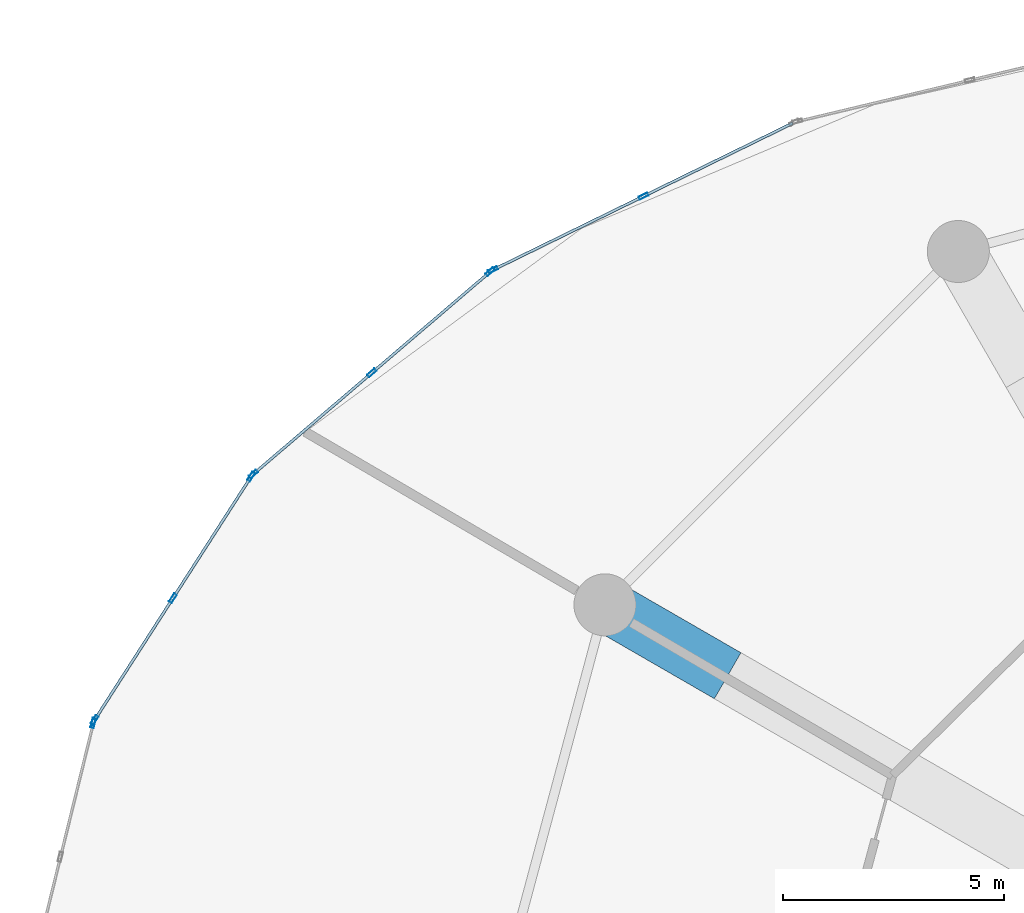
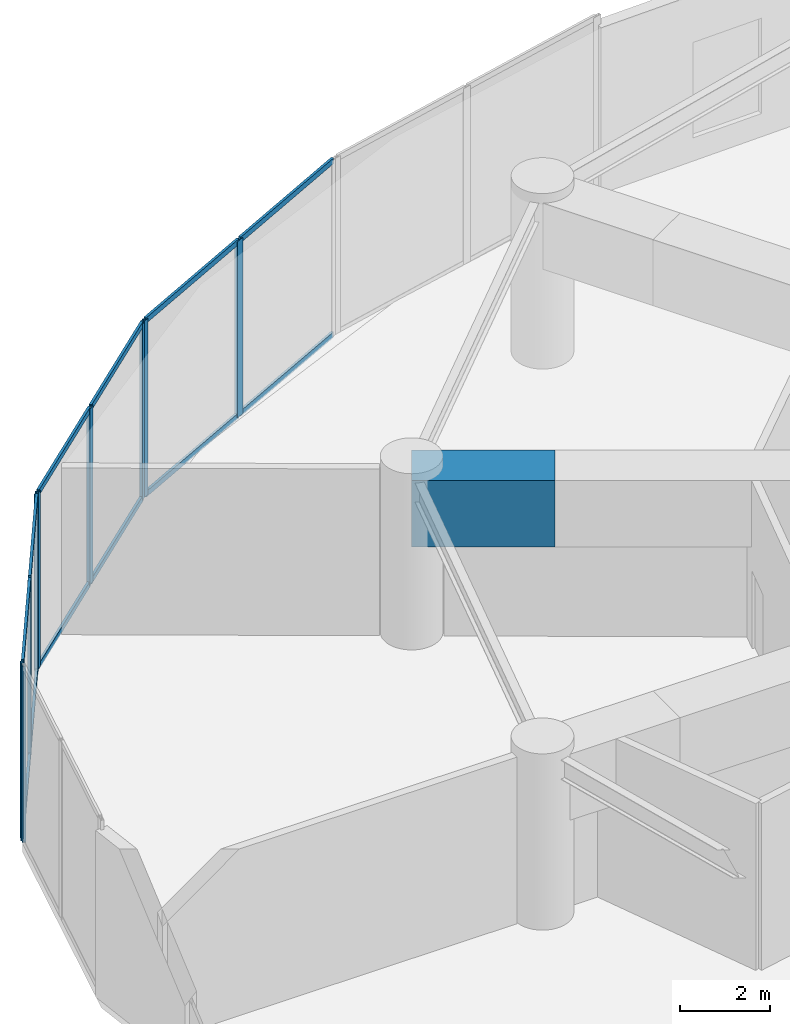
# One storey, part 14 of 27: 21 members, 1 beam, 4 elements without a shape of their own.
"""IFC4 building model written with IfcOpenShell, lengths in metres."""

from ifc_helpers import new_model, si_unit, direction, frame, origin, origin_2d, place, context, subcontext, project, spatial, rectangle, hollow_rectangle, extrude, source, transform, mapped, material, layer, layer_set, material_profile, profile_set, type_object, element, aggregate, save


model = new_model("IFC4")

# Units and contexts
model_context = context("Model", 3, precision=1e-05, world=origin(), true_north=direction((0.0, 1.0)))
body_context = subcontext(model_context, "Body", "Model", "MODEL_VIEW")
ifc_project = project(units=[si_unit("LENGTHUNIT", "METRE"), si_unit("AREAUNIT", "SQUARE_METRE"), si_unit("VOLUMEUNIT", "CUBIC_METRE"), si_unit("PLANEANGLEUNIT", "RADIAN"), si_unit("MASSUNIT", "GRAM", prefix="KILO")], contexts=[model_context])

# Site, building, storey
site_placement = place(None, origin())
site = spatial("IfcSite", under=ifc_project, at=site_placement, CompositionType="ELEMENT")
building_placement = place(site_placement, origin())
building = spatial("IfcBuilding", under=site, at=building_placement, Name="Solvirekh Grand Hotel", CompositionType="ELEMENT")
storey_placement = place(building_placement, frame((0.0, 0.0, 23.60009765625)))
storey = spatial("IfcBuildingStorey", under=building, at=storey_placement, Name="L04", CompositionType="ELEMENT", Elevation=23.60009765625)

# Beam
ifc_material_1 = material(Name="Concrete C60/75", Category="concrete")
ifc_material_profile_1 = material_profile(ifc_material_1, rectangle(XDim=1.199951171875, YDim=1.800048828125, at=origin_2d()), Name="RC GIRDER 1200X1800")
ifc_profile_set_1 = profile_set([ifc_material_profile_1], Name="Concrete C60/75")
beam_type = type_object("IfcBeamType", Name="TransferGirder_RC1800", PredefinedType="USERDEFINED", material=ifc_profile_set_1)
beam_placement = place(storey_placement, frame((-16.10791015625, 9.300048828125, 3.639892578125), z_axis=(-0.866022944154, 0.50000426018, 0.0), x_axis=(-0.50000426018, -0.866022944154, 0.0)))
element("IfcBeam", 1, at=beam_placement, inside=storey, type_object=beam_type, Name="L04 outer radial transfer girder 6B", ObjectType="TRANSFER GIRDER", PredefinedType="USERDEFINED", context=body_context, shape_type="SweptSolid", body=[
    extrude(rectangle(XDim=1.199951171875, YDim=1.800048828125, at=origin_2d()), origin(), (0.0, 0.0, 1.0), 3.19970703125),
])

# Curtain wall, members
ifc_material_2 = material(Name="Anodized Bronze Aluminium 6063-T6", Category="aluminium")
ifc_layer = layer(ifc_material_2, 0.219970703125)
ifc_layer_set = layer_set([ifc_layer], Name="Anodized Bronze Aluminium 6063-T6")
curtain_wall_type = type_object("IfcCurtainWallType", Name="CW_Sys1_PodiumBronzeUnitised", PredefinedType="NOTDEFINED", material=ifc_layer_set)
curtain_wall_1_placement = place(storey_placement, origin())
curtain_wall_1 = element("IfcCurtainWall", 2, at=curtain_wall_1_placement, inside=storey, type_object=curtain_wall_type, Name="L04 unitised bronze-glass curtain wall CW-L04-C11", PredefinedType="NOTDEFINED")
ifc_material_profile_2 = material_profile(ifc_material_2, hollow_rectangle(XDim=0.06494140625, YDim=0.14990234375, WallThickness=0.0048828125, at=origin_2d()), Name="ALU RHS 150X65X5")
ifc_profile_set_2 = profile_set([ifc_material_profile_2], Name="Anodized Bronze Aluminium 6063-T6")
member_type_1 = type_object("IfcMemberType", Name="CWTransom_Sys1", PredefinedType="USERDEFINED", material=ifc_profile_set_2)
shared_shape_1 = source(origin(), body_context, "Body", "SweptSolid", [
    extrude(hollow_rectangle(XDim=0.06494140625, YDim=0.14990234375, WallThickness=0.0048828125, at=origin_2d()), origin(), (0.0, 0.0, 1.0), 3.193603515625),
])
member_1_placement = place(storey_placement, frame((-28.65576171875, 11.016845703125, 0.032470703125), z_axis=(-0.541024167028, -0.841007045566, 0.0), x_axis=(0.841007045566, -0.541024167028, 0.0)))
member_1 = element("IfcMember", 3, at=member_1_placement, type_object=member_type_1, Name="U01 transom 2.1", ObjectType="TRANSOM", PredefinedType="USERDEFINED", context=body_context, shape_type="MappedRepresentation", body=[
    mapped(shared_shape_1, transform((0.0, 0.0, 0.0), x_axis=(1.0, 0.0, 0.0), y_axis=(0.0, 1.0, 0.0), z_axis=(0.0, 0.0, 1.0), scale=1.0)),
])
member_2_placement = place(storey_placement, frame((-28.65576171875, 11.016845703125, 4.767333984375), z_axis=(-0.541024167028, -0.841007045566, 0.0), x_axis=(0.841007045566, -0.541024167028, 0.0)))
member_2 = element("IfcMember", 4, at=member_2_placement, type_object=member_type_1, Name="U01 transom 2.2", ObjectType="TRANSOM", PredefinedType="USERDEFINED", context=body_context, shape_type="MappedRepresentation", body=[
    mapped(shared_shape_1, transform((0.0, 0.0, 0.0), x_axis=(1.0, 0.0, 0.0), y_axis=(0.0, 1.0, 0.0), z_axis=(0.0, 0.0, 1.0), scale=1.0)),
])

curtain_wall_2_placement = place(storey_placement, origin())
curtain_wall_2 = element("IfcCurtainWall", 5, at=curtain_wall_2_placement, inside=storey, type_object=curtain_wall_type, Name="L04 unitised bronze-glass curtain wall CW-L04-C10", PredefinedType="NOTDEFINED")
shared_shape_2 = source(origin(), body_context, "Body", "SweptSolid", [
    extrude(hollow_rectangle(XDim=0.06494140625, YDim=0.14990234375, WallThickness=0.0048828125, at=origin_2d()), origin(), (0.0, 0.0, 1.0), 3.443115234375),
])
member_3_placement = place(storey_placement, frame((-21.4970703125, 18.399169921875, 0.032470703125), z_axis=(-0.760346684447, -0.649517451229, 0.0), x_axis=(0.649517451229, -0.760346684447, 0.0)))
member_3 = element("IfcMember", 6, at=member_3_placement, type_object=member_type_1, Name="U01 transom 1.1", ObjectType="TRANSOM", PredefinedType="USERDEFINED", context=body_context, shape_type="MappedRepresentation", body=[
    mapped(shared_shape_2, transform((0.0, 0.0, 0.0), x_axis=(1.0, 0.0, 0.0), y_axis=(0.0, 1.0, 0.0), z_axis=(0.0, 0.0, 1.0), scale=1.0)),
])
member_4_placement = place(storey_placement, frame((-21.4970703125, 18.399169921875, 4.767333984375), z_axis=(-0.760346684447, -0.649517451229, 0.0), x_axis=(0.649517451229, -0.760346684447, 0.0)))
member_4 = element("IfcMember", 7, at=member_4_placement, type_object=member_type_1, Name="U01 transom 1.2", ObjectType="TRANSOM", PredefinedType="USERDEFINED", context=body_context, shape_type="MappedRepresentation", body=[
    mapped(shared_shape_2, transform((0.0, 0.0, 0.0), x_axis=(1.0, 0.0, 0.0), y_axis=(0.0, 1.0, 0.0), z_axis=(0.0, 0.0, 1.0), scale=1.0)),
])
member_5_placement = place(storey_placement, frame((-24.172119140625, 16.1142578125, 0.032470703125), z_axis=(-0.760311666431, -0.649558442243, 0.0), x_axis=(0.649558442243, -0.760311666431, 0.0)))
member_5 = element("IfcMember", 8, at=member_5_placement, type_object=member_type_1, Name="U01 transom 2.1", ObjectType="TRANSOM", PredefinedType="USERDEFINED", context=body_context, shape_type="MappedRepresentation", body=[
    mapped(shared_shape_2, transform((0.0, 0.0, 0.0), x_axis=(1.0, 0.0, 0.0), y_axis=(0.0, 1.0, 0.0), z_axis=(0.0, 0.0, 1.0), scale=1.0)),
])
member_6_placement = place(storey_placement, frame((-24.172119140625, 16.1142578125, 4.767333984375), z_axis=(-0.760311666431, -0.649558442243, 0.0), x_axis=(0.649558442243, -0.760311666431, 0.0)))
member_6 = element("IfcMember", 9, at=member_6_placement, type_object=member_type_1, Name="U01 transom 2.2", ObjectType="TRANSOM", PredefinedType="USERDEFINED", context=body_context, shape_type="MappedRepresentation", body=[
    mapped(shared_shape_2, transform((0.0, 0.0, 0.0), x_axis=(1.0, 0.0, 0.0), y_axis=(0.0, 1.0, 0.0), z_axis=(0.0, 0.0, 1.0), scale=1.0)),
])

curtain_wall_3_placement = place(storey_placement, origin())
curtain_wall_3 = element("IfcCurtainWall", 10, at=curtain_wall_3_placement, inside=storey, type_object=curtain_wall_type, Name="L04 unitised bronze-glass curtain wall CW-L04-C09", PredefinedType="NOTDEFINED")
shared_shape_3 = source(origin(), body_context, "Body", "SweptSolid", [
    extrude(hollow_rectangle(XDim=0.06494140625, YDim=0.14990234375, WallThickness=0.0048828125, at=origin_2d()), origin(), (0.0, 0.0, 1.0), 3.710693359375),
])
member_7_placement = place(storey_placement, frame((-14.639404296875, 21.776123046875, 0.032470703125), z_axis=(-0.898210642446, -0.439565287297, 0.0), x_axis=(0.439565287297, -0.898210642446, 0.0)))
member_7 = element("IfcMember", 11, at=member_7_placement, type_object=member_type_1, Name="U01 transom 1.1", ObjectType="TRANSOM", PredefinedType="USERDEFINED", context=body_context, shape_type="MappedRepresentation", body=[
    mapped(shared_shape_3, transform((0.0, 0.0, 0.0), x_axis=(1.0, 0.0, 0.0), y_axis=(0.0, 1.0, 0.0), z_axis=(0.0, 0.0, 1.0), scale=1.0)),
])
member_8_placement = place(storey_placement, frame((-14.639404296875, 21.776123046875, 4.767333984375), z_axis=(-0.898210642446, -0.439565287297, 0.0), x_axis=(0.439565287297, -0.898210642446, 0.0)))
member_8 = element("IfcMember", 12, at=member_8_placement, type_object=member_type_1, Name="U01 transom 1.2", ObjectType="TRANSOM", PredefinedType="USERDEFINED", context=body_context, shape_type="MappedRepresentation", body=[
    mapped(shared_shape_3, transform((0.0, 0.0, 0.0), x_axis=(1.0, 0.0, 0.0), y_axis=(0.0, 1.0, 0.0), z_axis=(0.0, 0.0, 1.0), scale=1.0)),
])

# Member
shared_shape_4 = source(origin(), body_context, "Body", "SweptSolid", [
    extrude(hollow_rectangle(XDim=0.06494140625, YDim=0.14990234375, WallThickness=0.0048828125, at=origin_2d()), origin(), (0.0, 0.0, 1.0), 3.193359375),
])
member_9_placement = place(storey_placement, frame((-26.8876953125, 13.765869140625, 0.032470703125), z_axis=(-0.540970092382, -0.841041829607, 0.0), x_axis=(0.841041829607, -0.540970092382, 0.0)))
member_9 = element("IfcMember", 13, at=member_9_placement, type_object=member_type_1, Name="U01 transom 1.1", ObjectType="TRANSOM", PredefinedType="USERDEFINED", context=body_context, shape_type="MappedRepresentation", body=[
    mapped(shared_shape_4, transform((0.0, 0.0, 0.0), x_axis=(1.0, 0.0, 0.0), y_axis=(0.0, 1.0, 0.0), z_axis=(0.0, 0.0, 1.0), scale=1.0)),
])

member_10_placement = place(storey_placement, frame((-26.8876953125, 13.765869140625, 4.767333984375), z_axis=(-0.540970092382, -0.841041829607, 0.0), x_axis=(0.841041829607, -0.540970092382, 0.0)))
member_10 = element("IfcMember", 14, at=member_10_placement, type_object=member_type_1, Name="U01 transom 1.2", ObjectType="TRANSOM", PredefinedType="USERDEFINED", context=body_context, shape_type="MappedRepresentation", body=[
    mapped(shared_shape_4, transform((0.0, 0.0, 0.0), x_axis=(1.0, 0.0, 0.0), y_axis=(0.0, 1.0, 0.0), z_axis=(0.0, 0.0, 1.0), scale=1.0)),
])

ifc_material_profile_3 = material_profile(ifc_material_2, hollow_rectangle(XDim=0.074951171875, YDim=0.219970703125, WallThickness=0.006103515625, at=origin_2d()), Name="ALU RHS 220X75X6")
ifc_profile_set_3 = profile_set([ifc_material_profile_3], Name="Anodized Bronze Aluminium 6063-T6")
member_type_2 = type_object("IfcMemberType", Name="CWMullion_Sys1", PredefinedType="MULLION", material=ifc_profile_set_3)
shared_shape_5 = source(origin(), body_context, "Body", "SweptSolid", [
    extrude(hollow_rectangle(XDim=0.074951171875, YDim=0.219970703125, WallThickness=0.006103515625, at=origin_2d()), origin(), (0.0, 0.0, 1.0), 4.7998046875),
])
member_11_placement = place(storey_placement, frame((-18.006103515625, 20.12841796875, 0.0), z_axis=(0.0, 0.0, 1.0), x_axis=(0.439559598928, -0.898213426192, 0.0)))
member_11 = element("IfcMember", 15, at=member_11_placement, type_object=member_type_2, Name="U01 mullion 2", PredefinedType="MULLION", context=body_context, shape_type="MappedRepresentation", body=[
    mapped(shared_shape_5, transform((0.0, 0.0, 0.0), x_axis=(1.0, 0.0, 0.0), y_axis=(0.0, 1.0, 0.0), z_axis=(0.0, 0.0, 1.0), scale=1.0)),
])

member_12_placement = place(storey_placement, frame((-21.40625, 18.464599609375, 0.0), z_axis=(0.0, 0.0, 1.0), x_axis=(0.439559598928, -0.898213426192, 0.0)))
member_12 = element("IfcMember", 16, at=member_12_placement, type_object=member_type_2, Name="U01 mullion 3", PredefinedType="MULLION", context=body_context, shape_type="MappedRepresentation", body=[
    mapped(shared_shape_5, transform((0.0, 0.0, 0.0), x_axis=(1.0, 0.0, 0.0), y_axis=(0.0, 1.0, 0.0), z_axis=(0.0, 0.0, 1.0), scale=1.0)),
])

member_13_placement = place(storey_placement, frame((-21.468505859375, 18.423583984375, 0.0), z_axis=(0.0, 0.0, 1.0), x_axis=(0.649528194203, -0.760337507253, 0.0)))
member_13 = element("IfcMember", 17, at=member_13_placement, type_object=member_type_2, Name="U01 mullion 1", PredefinedType="MULLION", context=body_context, shape_type="MappedRepresentation", body=[
    mapped(shared_shape_5, transform((0.0, 0.0, 0.0), x_axis=(1.0, 0.0, 0.0), y_axis=(0.0, 1.0, 0.0), z_axis=(0.0, 0.0, 1.0), scale=1.0)),
])

member_14_placement = place(storey_placement, frame((-24.1435546875, 16.138427734375, 0.0), z_axis=(0.0, 0.0, 1.0), x_axis=(0.649528194203, -0.760337507253, 0.0)))
member_14 = element("IfcMember", 18, at=member_14_placement, type_object=member_type_2, Name="U01 mullion 2", PredefinedType="MULLION", context=body_context, shape_type="MappedRepresentation", body=[
    mapped(shared_shape_5, transform((0.0, 0.0, 0.0), x_axis=(1.0, 0.0, 0.0), y_axis=(0.0, 1.0, 0.0), z_axis=(0.0, 0.0, 1.0), scale=1.0)),
])

member_15_placement = place(storey_placement, frame((-26.818603515625, 13.853271484375, 0.0), z_axis=(0.0, 0.0, 1.0), x_axis=(0.649528194203, -0.760337507253, 0.0)))
member_15 = element("IfcMember", 19, at=member_15_placement, type_object=member_type_2, Name="U01 mullion 3", PredefinedType="MULLION", context=body_context, shape_type="MappedRepresentation", body=[
    mapped(shared_shape_5, transform((0.0, 0.0, 0.0), x_axis=(1.0, 0.0, 0.0), y_axis=(0.0, 1.0, 0.0), z_axis=(0.0, 0.0, 1.0), scale=1.0)),
])

aggregate(curtain_wall_2, [member_13, member_14, member_15, member_3, member_4, member_5, member_6])

member_16_placement = place(storey_placement, frame((-26.8671875, 13.79736328125, 0.0), z_axis=(0.0, 0.0, 1.0), x_axis=(0.8410359437, -0.540979243044, 0.0)))
member_16 = element("IfcMember", 20, at=member_16_placement, type_object=member_type_2, Name="U01 mullion 1", PredefinedType="MULLION", context=body_context, shape_type="MappedRepresentation", body=[
    mapped(shared_shape_5, transform((0.0, 0.0, 0.0), x_axis=(1.0, 0.0, 0.0), y_axis=(0.0, 1.0, 0.0), z_axis=(0.0, 0.0, 1.0), scale=1.0)),
])

member_17_placement = place(storey_placement, frame((-28.635498046875, 11.048583984375, 0.0), z_axis=(0.0, 0.0, 1.0), x_axis=(0.8410359437, -0.540979243044, 0.0)))
member_17 = element("IfcMember", 21, at=member_17_placement, type_object=member_type_2, Name="U01 mullion 2", PredefinedType="MULLION", context=body_context, shape_type="MappedRepresentation", body=[
    mapped(shared_shape_5, transform((0.0, 0.0, 0.0), x_axis=(1.0, 0.0, 0.0), y_axis=(0.0, 1.0, 0.0), z_axis=(0.0, 0.0, 1.0), scale=1.0)),
])

member_18_placement = place(storey_placement, frame((-30.40380859375, 8.299560546875, 0.0), z_axis=(0.0, 0.0, 1.0), x_axis=(0.8410359437, -0.540979243044, 0.0)))
member_18 = element("IfcMember", 22, at=member_18_placement, type_object=member_type_2, Name="U01 mullion 3", PredefinedType="MULLION", context=body_context, shape_type="MappedRepresentation", body=[
    mapped(shared_shape_5, transform((0.0, 0.0, 0.0), x_axis=(1.0, 0.0, 0.0), y_axis=(0.0, 1.0, 0.0), z_axis=(0.0, 0.0, 1.0), scale=1.0)),
])

aggregate(curtain_wall_1, [member_16, member_17, member_18, member_9, member_10, member_1, member_2])

# Curtain wall, member
curtain_wall_4_placement = place(storey_placement, origin())
curtain_wall_4 = element("IfcCurtainWall", 23, at=curtain_wall_4_placement, inside=storey, type_object=curtain_wall_type, Name="L04 unitised bronze-glass curtain wall CW-L04-C12", PredefinedType="NOTDEFINED")
member_19_placement = place(storey_placement, frame((-30.432861328125, 8.231689453125, 0.0), z_axis=(0.0, 0.0, 1.0), x_axis=(0.971150596168, -0.238467019865, 0.0)))
member_19 = element("IfcMember", 24, at=member_19_placement, type_object=member_type_2, Name="U01 mullion 1", PredefinedType="MULLION", context=body_context, shape_type="MappedRepresentation", body=[
    mapped(shared_shape_5, transform((0.0, 0.0, 0.0), x_axis=(1.0, 0.0, 0.0), y_axis=(0.0, 1.0, 0.0), z_axis=(0.0, 0.0, 1.0), scale=1.0)),
])
aggregate(curtain_wall_4, [member_19])

# Member
shared_shape_6 = source(origin(), body_context, "Body", "SweptSolid", [
    extrude(hollow_rectangle(XDim=0.06494140625, YDim=0.14990234375, WallThickness=0.0048828125, at=origin_2d()), origin(), (0.0, 0.0, 1.0), 3.71044921875),
])
member_20_placement = place(storey_placement, frame((-18.039794921875, 20.112060546875, 0.032470703125), z_axis=(-0.898197928886, -0.43959126532, 0.0), x_axis=(0.43959126532, -0.898197928886, 0.0)))
member_20 = element("IfcMember", 25, at=member_20_placement, type_object=member_type_1, Name="U01 transom 2.1", ObjectType="TRANSOM", PredefinedType="USERDEFINED", context=body_context, shape_type="MappedRepresentation", body=[
    mapped(shared_shape_6, transform((0.0, 0.0, 0.0), x_axis=(1.0, 0.0, 0.0), y_axis=(0.0, 1.0, 0.0), z_axis=(0.0, 0.0, 1.0), scale=1.0)),
])

member_21_placement = place(storey_placement, frame((-18.039794921875, 20.112060546875, 4.767333984375), z_axis=(-0.898197928886, -0.43959126532, 0.0), x_axis=(0.43959126532, -0.898197928886, 0.0)))
member_21 = element("IfcMember", 26, at=member_21_placement, type_object=member_type_1, Name="U01 transom 2.2", ObjectType="TRANSOM", PredefinedType="USERDEFINED", context=body_context, shape_type="MappedRepresentation", body=[
    mapped(shared_shape_6, transform((0.0, 0.0, 0.0), x_axis=(1.0, 0.0, 0.0), y_axis=(0.0, 1.0, 0.0), z_axis=(0.0, 0.0, 1.0), scale=1.0)),
])

aggregate(curtain_wall_3, [member_11, member_12, member_7, member_8, member_20, member_21])

save(model, "model.ifc")
